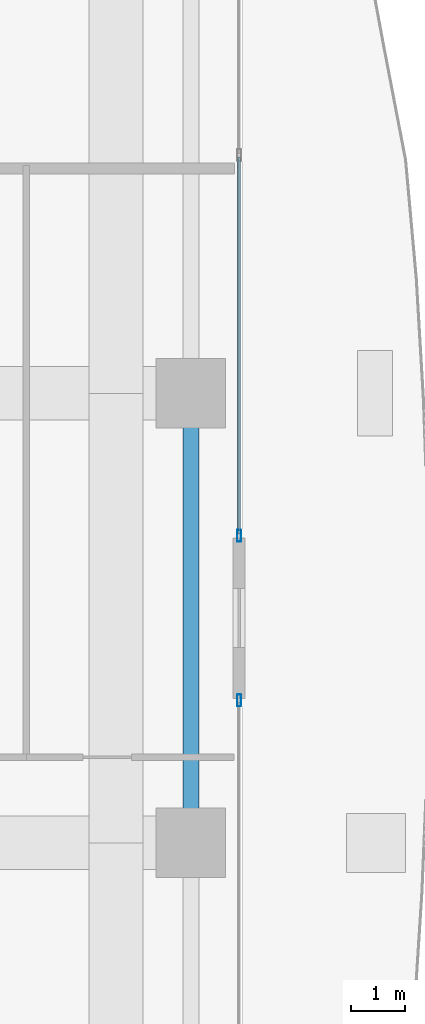
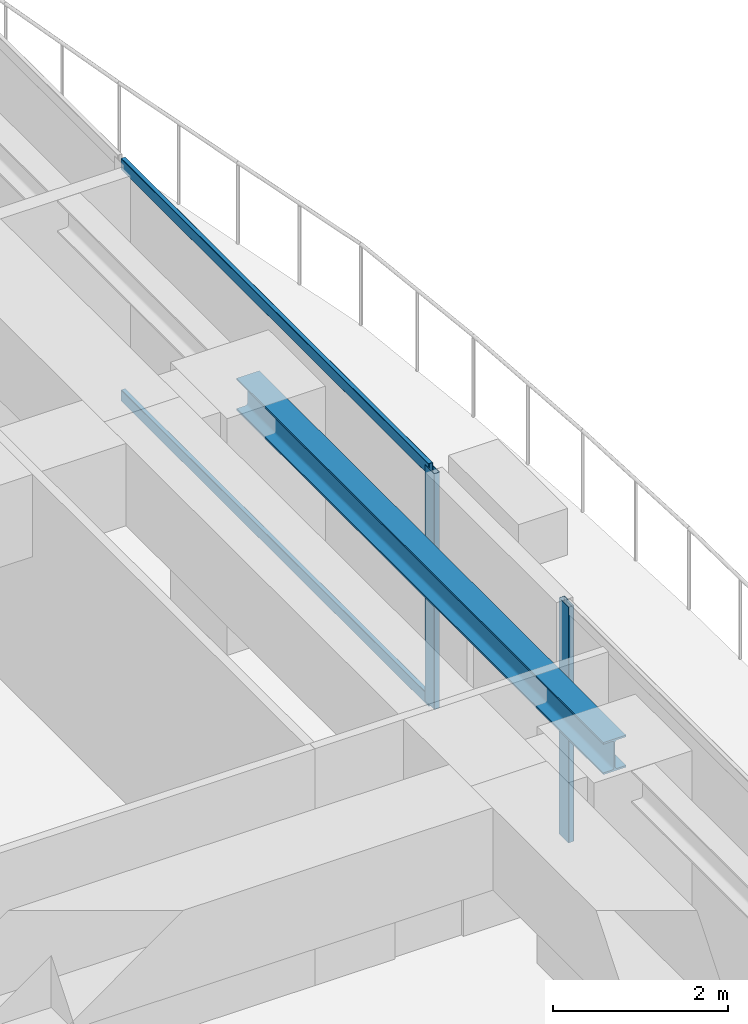
# One storey, part 13 of 32: 4 members, 1 beam, 2 elements without a shape of their own.
"""IFC4 building model written with IfcOpenShell, lengths in metres."""

from ifc_helpers import new_model, si_unit, direction, frame, origin, origin_2d, place, context, subcontext, project, spatial, hollow_rectangle, i_section, extrude, source, transform, mapped, material, layer, layer_set, material_profile, profile_set, type_object, element, aggregate, save


model = new_model("IFC4")

# Units and contexts
model_context = context("Model", 3, precision=1e-05, world=origin(), true_north=direction((0.0, 1.0)))
body_context = subcontext(model_context, "Body", "Model", "MODEL_VIEW")
ifc_project = project(units=[si_unit("LENGTHUNIT", "METRE"), si_unit("AREAUNIT", "SQUARE_METRE"), si_unit("VOLUMEUNIT", "CUBIC_METRE"), si_unit("PLANEANGLEUNIT", "RADIAN"), si_unit("MASSUNIT", "GRAM", prefix="KILO")], contexts=[model_context])

# Site, building, storey
site_placement = place(None, origin())
site = spatial("IfcSite", under=ifc_project, at=site_placement, CompositionType="ELEMENT")
building_placement = place(site_placement, origin())
building = spatial("IfcBuilding", under=site, at=building_placement, Name="Serunith Strait Residences", CompositionType="ELEMENT")
storey_placement = place(building_placement, frame((0.0, 0.0, 195.14990234375)))
storey = spatial("IfcBuildingStorey", under=building, at=storey_placement, Name="L49", CompositionType="ELEMENT", Elevation=195.14990234375)

# Beam
ifc_material_1 = material(Name="Steel S355J2", Category="steel")
ifc_material_profile_1 = material_profile(ifc_material_1, i_section(OverallWidth=0.300048828125, OverallDepth=0.449951171875, WebThickness=0.013916015625, FlangeThickness=0.02587890625, FilletRadius=0.027099609375, at=origin_2d()), Name="HEB 450")
ifc_profile_set_1 = profile_set([ifc_material_profile_1], Name="Steel S355J2")
beam_type = type_object("IfcBeamType", Name="BM-HEB450", PredefinedType="BEAM", material=ifc_profile_set_1)
shared_shape_1 = source(origin(), body_context, "Body", "SweptSolid", [
    extrude(i_section(OverallWidth=0.300048828125, OverallDepth=0.449951171875, WebThickness=0.013916015625, FlangeThickness=0.02587890625, FilletRadius=0.027099609375, at=origin_2d()), origin(), (0.0, 0.0, 1.0), 8.39990234375),
])
beam_placement = place(storey_placement, frame((56.10009765625, 21.0, 3.08203125), z_axis=(0.0, 1.0, 0.0), x_axis=(-1.0, 0.0, 0.0)))
element("IfcBeam", 1, at=beam_placement, inside=storey, type_object=beam_type, Name="L49 Perimeter Ring Beam 06", PredefinedType="BEAM", context=body_context, shape_type="MappedRepresentation", body=[
    mapped(shared_shape_1, transform((0.0, 0.0, 0.0), scale=1.0)),
])

# Curtain wall, members
ifc_material_2 = material(Name="Pale-Silver PVDF Aluminium", Category="aluminium")
ifc_layer = layer(ifc_material_2, 0.199951171875, Name="Pale-Silver PVDF Aluminium")
ifc_layer_set = layer_set([ifc_layer], Name="Pale-Silver PVDF Aluminium")
curtain_wall_type = type_object("IfcCurtainWallType", Name="CW-SYS3", PredefinedType="NOTDEFINED", material=ifc_layer_set)
curtain_wall_1_placement = place(storey_placement, origin())
curtain_wall_1 = element("IfcCurtainWall", 2, at=curtain_wall_1_placement, inside=storey, type_object=curtain_wall_type, Name="L49 E Unitised Fritted Curtain Wall", PredefinedType="NOTDEFINED")
ifc_material_profile_2 = material_profile(ifc_material_2, hollow_rectangle(XDim=0.06005859375, YDim=0.159912109375, WallThickness=0.00341796875, InnerFilletRadius=0.00537109375, OuterFilletRadius=0.0087890625, at=origin_2d()), Name="ALU 160x60x3.5")
ifc_profile_set_2 = profile_set([ifc_material_profile_2], Name="Pale-Silver PVDF Aluminium")
member_type_1 = type_object("IfcMemberType", Name="CW-SYS3-TRAN", PredefinedType="USERDEFINED", material=ifc_profile_set_2)
shared_shape_2 = source(origin(), body_context, "Body", "SweptSolid", [
    extrude(hollow_rectangle(XDim=0.06005859375, YDim=0.159912109375, WallThickness=0.00341796875, InnerFilletRadius=0.00537109375, OuterFilletRadius=0.0087890625, at=origin_2d()), origin(), (0.0, 0.0, 1.0), 7.03759765625),
])
member_1_placement = place(storey_placement, frame((57.0, 26.77490234375, 0.030029296875), z_axis=(0.0, 1.0, 0.0), x_axis=(-1.0, 0.0, 0.0)))
member_1 = element("IfcMember", 3, at=member_1_placement, type_object=member_type_1, Name="CW-3 transom 1.1", ObjectType="TRANSOM", PredefinedType="USERDEFINED", context=body_context, shape_type="MappedRepresentation", body=[
    mapped(shared_shape_2, transform((0.0, 0.0, 0.0), scale=1.0)),
])
member_2_placement = place(storey_placement, frame((57.0, 26.77490234375, 3.26513671875), z_axis=(0.0, 1.0, 0.0), x_axis=(-1.0, 0.0, 0.0)))
member_2 = element("IfcMember", 4, at=member_2_placement, type_object=member_type_1, Name="CW-3 transom 1.2", ObjectType="TRANSOM", PredefinedType="USERDEFINED", context=body_context, shape_type="MappedRepresentation", body=[
    mapped(shared_shape_2, transform((0.0, 0.0, 0.0), scale=1.0)),
])

# Curtain wall, member
curtain_wall_2_placement = place(storey_placement, origin())
curtain_wall_2 = element("IfcCurtainWall", 5, at=curtain_wall_2_placement, inside=storey, type_object=curtain_wall_type, Name="L49 E Unitised Fritted Curtain Wall", PredefinedType="NOTDEFINED")
ifc_material_profile_3 = material_profile(ifc_material_2, hollow_rectangle(XDim=0.074951171875, YDim=0.219970703125, WallThickness=0.00390625, InnerFilletRadius=0.006103515625, OuterFilletRadius=0.010009765625, at=origin_2d()), Name="ALU 220x75x4")
ifc_profile_set_3 = profile_set([ifc_material_profile_3], Name="Pale-Silver PVDF Aluminium")
member_type_2 = type_object("IfcMemberType", Name="CW-SYS3-MULL", PredefinedType="MULLION", material=ifc_profile_set_3)
shared_shape_3 = source(origin(), body_context, "Body", "SweptSolid", [
    extrude(hollow_rectangle(XDim=0.074951171875, YDim=0.219970703125, WallThickness=0.00390625, InnerFilletRadius=0.006103515625, OuterFilletRadius=0.010009765625, at=origin_2d()), origin(), (0.0, 0.0, 1.0), 3.295166015625),
])
member_3_placement = place(storey_placement, frame((57.0, 23.66259765625, 0.0), z_axis=(0.0, 0.0, 1.0), x_axis=(-1.0, 0.0, 0.0)))
member_3 = element("IfcMember", 6, at=member_3_placement, type_object=member_type_2, Name="CW-3 mullion 3", PredefinedType="MULLION", context=body_context, shape_type="MappedRepresentation", body=[
    mapped(shared_shape_3, transform((0.0, 0.0, 0.0), scale=1.0)),
])
aggregate(curtain_wall_2, [member_3])

# Member
member_4_placement = place(storey_placement, frame((57.0, 26.737548828125, 0.0), z_axis=(0.0, 0.0, 1.0), x_axis=(-1.0, 0.0, 0.0)))
member_4 = element("IfcMember", 7, at=member_4_placement, type_object=member_type_2, Name="CW-3 mullion 1", PredefinedType="MULLION", context=body_context, shape_type="MappedRepresentation", body=[
    mapped(shared_shape_3, transform((0.0, 0.0, 0.0), scale=1.0)),
])

aggregate(curtain_wall_1, [member_4, member_1, member_2])

save(model, "model.ifc")
